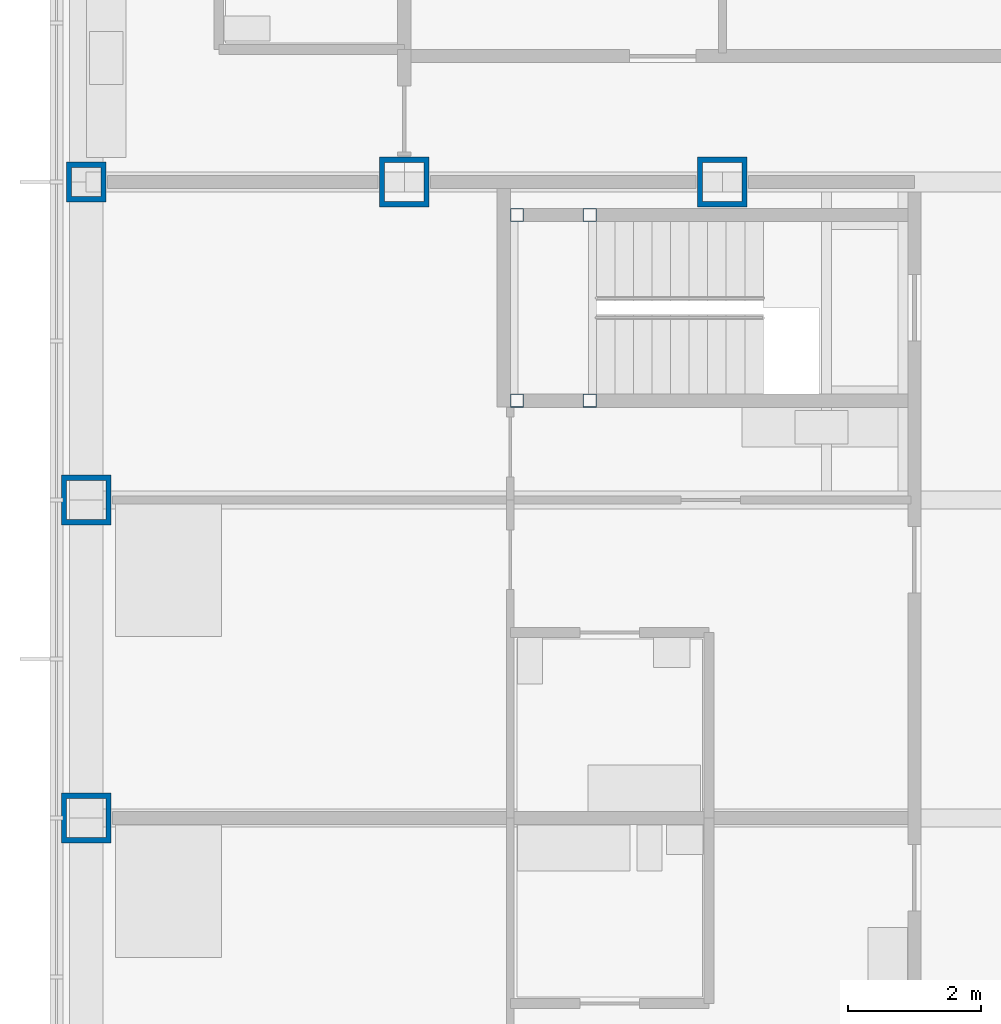
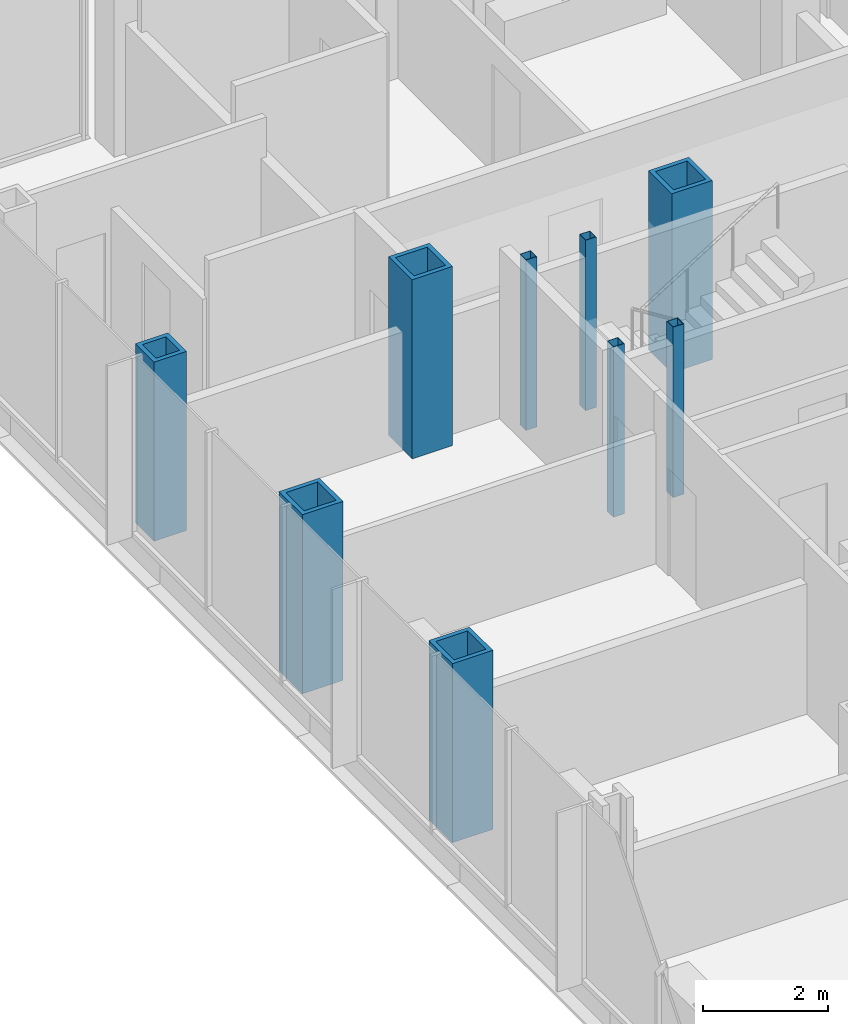
# One storey, part 3 of 21: 9 columns.
"""IFC4 building model written with IfcOpenShell, lengths in metres."""

from ifc_helpers import new_model, si_unit, direction, frame, origin, origin_2d, place, context, subcontext, project, spatial, hollow_rectangle, extrude, material, material_profile, profile_set, type_object, element, save


model = new_model("IFC4")

# Units and contexts
model_context = context("Model", 3, precision=1e-05, world=origin(), true_north=direction((0.0, 1.0)))
body_context = subcontext(model_context, "Body", "Model", "MODEL_VIEW")
ifc_project = project(units=[si_unit("LENGTHUNIT", "METRE"), si_unit("AREAUNIT", "SQUARE_METRE"), si_unit("VOLUMEUNIT", "CUBIC_METRE"), si_unit("PLANEANGLEUNIT", "RADIAN"), si_unit("MASSUNIT", "GRAM", prefix="KILO")], contexts=[model_context])

# Site, building, storey
site_placement = place(None, origin())
site = spatial("IfcSite", under=ifc_project, at=site_placement, CompositionType="ELEMENT")
building_placement = place(site_placement, origin())
building = spatial("IfcBuilding", under=site, at=building_placement, Name="Kvirike Care Tower", CompositionType="ELEMENT")
storey_placement = place(building_placement, frame((0.0, 0.0, 27.0)))
storey = spatial("IfcBuildingStorey", under=building, at=storey_placement, Name="L06", CompositionType="ELEMENT", Elevation=27.0)

# Columns
ifc_material_1 = material(Name="Steel S460", Category="steel")
ifc_material_profile_1 = material_profile(ifc_material_1, hollow_rectangle(XDim=0.60009765625, YDim=0.60009765625, WallThickness=0.080078125, at=origin_2d()), Name="BX 600x600x80")
ifc_profile_set_1 = profile_set([ifc_material_profile_1], Name="Steel S460")
column_type_1 = type_object("IfcColumnType", Name="COLUMN BX 600x600x80", PredefinedType="COLUMN", material=ifc_profile_set_1)
column_placement = place(storey_placement, frame((0.0, 43.199951171875, 0.0), z_axis=(0.0, 0.0, 1.0), x_axis=(0.0, 1.0, 0.0)))
element("IfcColumn", 1, at=column_placement, inside=storey, type_object=column_type_1, Name="Column K3 L06", PredefinedType="COLUMN", context=body_context, shape_type="SweptSolid", body=[
    extrude(hollow_rectangle(XDim=0.60009765625, YDim=0.60009765625, WallThickness=0.080078125, at=origin_2d()), origin(), (0.0, 0.0, 1.0), 3.5),
])
ifc_material_2 = material(Name="Steel S460", Category="steel")
ifc_material_profile_2 = material_profile(ifc_material_2, hollow_rectangle(XDim=0.75, YDim=0.75, WallThickness=0.080078125, at=origin_2d()), Name="BX 750x750x80")
ifc_profile_set_2 = profile_set([ifc_material_profile_2], Name="Steel S460")
column_type_2 = type_object("IfcColumnType", Name="COLUMN BX 750x750x80", PredefinedType="COLUMN", material=ifc_profile_set_2)
for number, where, z_axis, x_axis, name in (
    (2, (0.0, 33.60009765625, 0.0), (0.0, 0.0, 1.0), (1.0, 0.0, 0.0), "Column H3 L06"),
    (3, (0.0, 38.39990234375, 0.0), (0.0, 0.0, 1.0), (1.0, 0.0, 0.0), "Column J3 L06"),
    (4, (4.800048828125, 43.199951171875, 0.0), (0.0, 0.0, 1.0), (0.0, 1.0, 0.0), "Column K4 L06"),
    (5, (9.60009765625, 43.199951171875, 0.0), (0.0, 0.0, 1.0), (0.0, 1.0, 0.0), "Column K5 L06"),
):
    element("IfcColumn", number, at=place(storey_placement, frame(where, z_axis=z_axis, x_axis=x_axis)), inside=storey, type_object=column_type_2, Name=name, PredefinedType="COLUMN", context=body_context, shape_type="SweptSolid", body=[
        extrude(hollow_rectangle(XDim=0.75, YDim=0.75, WallThickness=0.080078125, at=origin_2d()), origin(), (0.0, 0.0, 1.0), 3.5),
    ])
ifc_material_3 = material(Name="Steel S460", Category="steel")
ifc_material_profile_3 = material_profile(ifc_material_3, hollow_rectangle(XDim=0.199951171875, YDim=0.199951171875, WallThickness=0.008056640625, at=origin_2d()), Name="SHS 200x200x8")
ifc_profile_set_3 = profile_set([ifc_material_profile_3], Name="Steel S460")
column_type_3 = type_object("IfcColumnType", Name="STAIR POST SHS 200x200x8", PredefinedType="COLUMN", material=ifc_profile_set_3)
for number, where, z_axis, x_axis, name in (
    (6, (6.5, 42.699951171875, 0.0), (0.0, 0.0, 1.0), (1.0, 0.0, 0.0), "Stair 1 post 1 L06"),
    (7, (6.5, 39.89990234375, 0.0), (0.0, 0.0, 1.0), (1.0, 0.0, 0.0), "Stair 1 post 2 L06"),
    (8, (7.60009765625, 42.699951171875, 0.0), (0.0, 0.0, 1.0), (1.0, 0.0, 0.0), "Stair 1 post 3 L06"),
    (9, (7.60009765625, 39.89990234375, 0.0), (0.0, 0.0, 1.0), (1.0, 0.0, 0.0), "Stair 1 post 4 L06"),
):
    element("IfcColumn", number, at=place(storey_placement, frame(where, z_axis=z_axis, x_axis=x_axis)), inside=storey, type_object=column_type_3, Name=name, PredefinedType="COLUMN", context=body_context, shape_type="SweptSolid", body=[
        extrude(hollow_rectangle(XDim=0.199951171875, YDim=0.199951171875, WallThickness=0.008056640625, at=origin_2d()), origin(), (0.0, 0.0, 1.0), 3.330078125),
    ])

save(model, "model.ifc")
